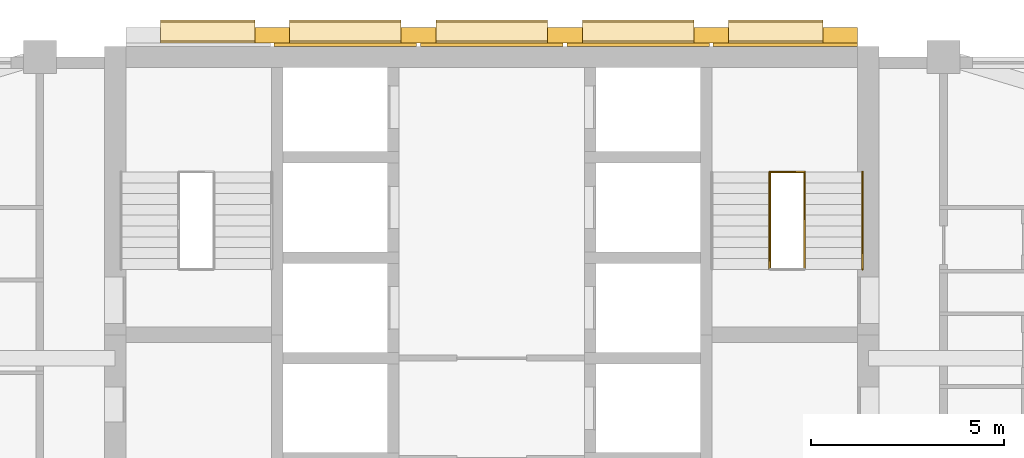
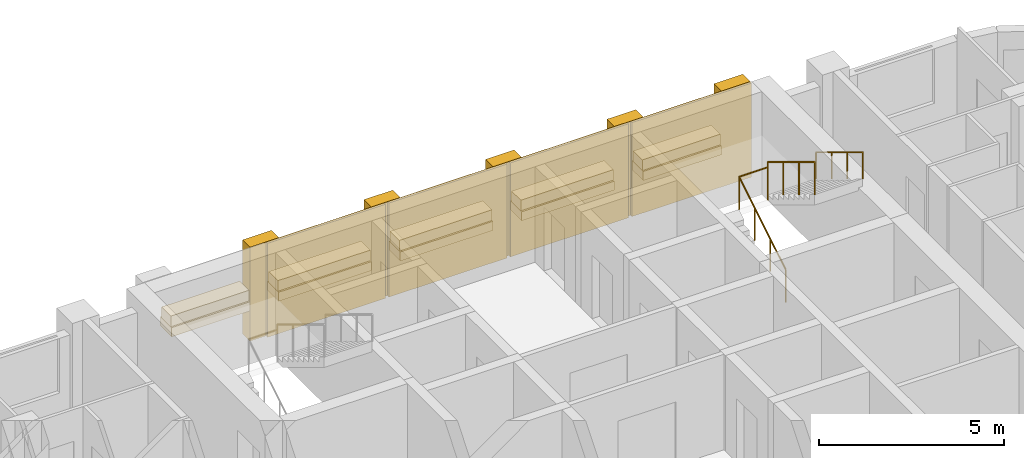
# One storey, part 12 of 12: 19 coverings, 4 railings, 1 element without a shape of its own.
"""IFC4 building model written with IfcOpenShell, lengths in metres."""

from ifc_helpers import new_model, si_unit, direction, frame, origin, origin_2d, place, context, subcontext, project, spatial, rectangle, circle, extrude, material, layer, layer_set, type_object, element, aggregate, save


model = new_model("IFC4")

# Units and contexts
model_context = context("Model", 3, precision=1e-05, world=origin(), true_north=direction((0.0, 1.0)))
body_context = subcontext(model_context, "Body", "Model", "MODEL_VIEW")
ifc_project = project(units=[si_unit("LENGTHUNIT", "METRE"), si_unit("AREAUNIT", "SQUARE_METRE"), si_unit("VOLUMEUNIT", "CUBIC_METRE"), si_unit("PLANEANGLEUNIT", "RADIAN"), si_unit("MASSUNIT", "GRAM", prefix="KILO")], contexts=[model_context])

# Site, building, storey
site_placement = place(None, origin())
site = spatial("IfcSite", under=ifc_project, at=site_placement, CompositionType="ELEMENT")
building_placement = place(site_placement, origin())
building = spatial("IfcBuilding", under=site, at=building_placement, Name="Ludao Terraces", CompositionType="ELEMENT")
storey_placement = place(building_placement, frame((0.0, 0.0, 137.300048828125)))
storey = spatial("IfcBuildingStorey", under=building, at=storey_placement, Name="L37", CompositionType="ELEMENT", Elevation=137.300048828125)

# Coverings
ifc_material_1 = material(Name="Granite cladding", Category="masonry")
ifc_layer_1 = layer(ifc_material_1, 0.39990234375)
ifc_layer_set_1 = layer_set([ifc_layer_1], Name="ENV Core pilaster stone 400")
covering_type_1 = type_object("IfcCoveringType", Name="ENV Core pilaster stone 400", PredefinedType="CLADDING", material=ifc_layer_set_1)
for number, where, z_axis, x_axis, name in (
    (1, (79.31494140625, 85.054931640625, 0.0), (0.0, 0.0, 1.0), (1.0, 0.0, 0.0), "CC-L37-PIL2"),
    (2, (83.10498046875, 85.054931640625, 0.0), (0.0, 0.0, 1.0), (1.0, 0.0, 0.0), "CC-L37-PIL3"),
    (3, (86.89501953125, 85.054931640625, 0.0), (0.0, 0.0, 1.0), (1.0, 0.0, 0.0), "CC-L37-PIL4"),
    (4, (90.68505859375, 85.054931640625, 0.0), (0.0, 0.0, 1.0), (1.0, 0.0, 0.0), "CC-L37-PIL5"),
    (5, (94.02490234375, 85.054931640625, 0.0), (0.0, 0.0, 1.0), (1.0, 0.0, 0.0), "CC-L37-PIL6"),
):
    element("IfcCovering", number, at=place(storey_placement, frame(where, z_axis=z_axis, x_axis=x_axis)), inside=storey, type_object=covering_type_1, Name=name, PredefinedType="CLADDING", context=body_context, shape_type="SweptSolid", body=[
        extrude(rectangle(XDim=0.89990234375, YDim=0.39990234375, at=origin_2d()), origin(), (0.0, 0.0, 1.0), 3.10009765625),
    ])
ifc_layer_2 = layer(ifc_material_1, 0.60009765625)
ifc_layer_set_2 = layer_set([ifc_layer_2], Name="ENV Core planting shelf stone 600")
covering_type_2 = type_object("IfcCoveringType", Name="ENV Core planting shelf stone 600", PredefinedType="CLADDING", material=ifc_layer_set_2)
covering_1_placement = place(storey_placement, frame((77.64501953125, 85.155029296875, 1.0), z_axis=(0.0, 0.0, 1.0), x_axis=(1.0, 0.0, 0.0)))
element("IfcCovering", 6, at=covering_1_placement, inside=storey, type_object=covering_type_2, Name="CC-L37-SHELF1", PredefinedType="CLADDING", context=body_context, shape_type="SweptSolid", body=[
    extrude(rectangle(XDim=2.43994140625, YDim=0.60009765625, at=origin_2d()), origin(), (0.0, 0.0, 1.0), 0.300048828125),
])
for number, where, z_axis, x_axis, name in (
    (7, (81.2099609375, 85.155029296875, 1.0), (0.0, 0.0, 1.0), (1.0, 0.0, 0.0), "CC-L37-SHELF2"),
    (8, (85.0, 85.155029296875, 1.0), (0.0, 0.0, 1.0), (1.0, 0.0, 0.0), "CC-L37-SHELF3"),
    (9, (88.7900390625, 85.155029296875, 1.0), (0.0, 0.0, 1.0), (1.0, 0.0, 0.0), "CC-L37-SHELF4"),
):
    element("IfcCovering", number, at=place(storey_placement, frame(where, z_axis=z_axis, x_axis=x_axis)), inside=storey, type_object=covering_type_2, Name=name, PredefinedType="CLADDING", context=body_context, shape_type="SweptSolid", body=[
        extrude(rectangle(XDim=2.889892578125, YDim=0.60009765625, at=origin_2d()), origin(), (0.0, 0.0, 1.0), 0.300048828125),
    ])
covering_2_placement = place(storey_placement, frame((92.35498046875, 85.155029296875, 1.0), z_axis=(0.0, 0.0, 1.0), x_axis=(1.0, 0.0, 0.0)))
element("IfcCovering", 10, at=covering_2_placement, inside=storey, type_object=covering_type_2, Name="CC-L37-SHELF5", PredefinedType="CLADDING", context=body_context, shape_type="SweptSolid", body=[
    extrude(rectangle(XDim=2.43994140625, YDim=0.60009765625, at=origin_2d()), origin(), (0.0, 0.0, 1.0), 0.300048828125),
])
ifc_layer_3 = layer(ifc_material_1, 0.080078125)
ifc_layer_set_3 = layer_set([ifc_layer_3], Name="ENV Core stone cladding panel 80")
covering_type_3 = type_object("IfcCoveringType", Name="ENV Core stone cladding panel 80", PredefinedType="CLADDING", material=ifc_layer_set_3)
for number, where, z_axis, x_axis, name in (
    (11, (81.2099609375, 84.81494140625, 0.0), (0.0, 0.0, 1.0), (1.0, 0.0, 0.0), "CC-L37-CORE2"),
    (12, (85.0, 84.81494140625, 0.0), (0.0, 0.0, 1.0), (1.0, 0.0, 0.0), "CC-L37-CORE3"),
    (13, (88.7900390625, 84.81494140625, 0.0), (0.0, 0.0, 1.0), (1.0, 0.0, 0.0), "CC-L37-CORE4"),
):
    element("IfcCovering", number, at=place(storey_placement, frame(where, z_axis=z_axis, x_axis=x_axis)), inside=storey, type_object=covering_type_3, Name=name, PredefinedType="CLADDING", context=body_context, shape_type="SweptSolid", body=[
        extrude(rectangle(XDim=3.68994140625, YDim=0.080078125, at=origin_2d()), origin(), (0.0, 0.0, 1.0), 3.10009765625),
    ])
covering_3_placement = place(storey_placement, frame((92.60498046875, 84.81494140625, 0.0), z_axis=(0.0, 0.0, 1.0), x_axis=(1.0, 0.0, 0.0)))
element("IfcCovering", 14, at=covering_3_placement, inside=storey, type_object=covering_type_3, Name="CC-L37-CORE5", PredefinedType="CLADDING", context=body_context, shape_type="SweptSolid", body=[
    extrude(rectangle(XDim=3.739990234375, YDim=0.080078125, at=origin_2d()), origin(), (0.0, 0.0, 1.0), 3.10009765625),
])
ifc_material_2 = material(Name="Planting")
ifc_layer_4 = layer(ifc_material_2, 0.5)
ifc_layer_set_4 = layer_set([ifc_layer_4], Name="ENV Shelf planting bed 350")
covering_type_4 = type_object("IfcCoveringType", Name="ENV Shelf planting bed 350", PredefinedType="USERDEFINED", material=ifc_layer_set_4)
covering_4_placement = place(storey_placement, frame((77.64501953125, 85.155029296875, 1.2998046875), z_axis=(0.0, 0.0, 1.0), x_axis=(1.0, 0.0, 0.0)))
element("IfcCovering", 15, at=covering_4_placement, inside=storey, type_object=covering_type_4, Name="Shelf planting bed L37 1", ObjectType="PLANTING", PredefinedType="USERDEFINED", context=body_context, shape_type="SweptSolid", body=[
    extrude(rectangle(XDim=2.43994140625, YDim=0.5, at=origin_2d()), origin(), (0.0, 0.0, 1.0), 0.35009765625),
])
for number, where, z_axis, x_axis, name in (
    (16, (81.2099609375, 85.155029296875, 1.2998046875), (0.0, 0.0, 1.0), (1.0, 0.0, 0.0), "Shelf planting bed L37 2"),
    (17, (85.0, 85.155029296875, 1.2998046875), (0.0, 0.0, 1.0), (1.0, 0.0, 0.0), "Shelf planting bed L37 3"),
    (18, (88.7900390625, 85.155029296875, 1.2998046875), (0.0, 0.0, 1.0), (1.0, 0.0, 0.0), "Shelf planting bed L37 4"),
):
    element("IfcCovering", number, at=place(storey_placement, frame(where, z_axis=z_axis, x_axis=x_axis)), inside=storey, type_object=covering_type_4, Name=name, ObjectType="PLANTING", PredefinedType="USERDEFINED", context=body_context, shape_type="SweptSolid", body=[
        extrude(rectangle(XDim=2.889892578125, YDim=0.5, at=origin_2d()), origin(), (0.0, 0.0, 1.0), 0.35009765625),
    ])
covering_5_placement = place(storey_placement, frame((92.35498046875, 85.155029296875, 1.2998046875), z_axis=(0.0, 0.0, 1.0), x_axis=(1.0, 0.0, 0.0)))
element("IfcCovering", 19, at=covering_5_placement, inside=storey, type_object=covering_type_4, Name="Shelf planting bed L37 5", ObjectType="PLANTING", PredefinedType="USERDEFINED", context=body_context, shape_type="SweptSolid", body=[
    extrude(rectangle(XDim=2.43994140625, YDim=0.5, at=origin_2d()), origin(), (0.0, 0.0, 1.0), 0.35009765625),
])

# Stair, railings
ifc_material_3 = material(Name="Concrete C40", Category="concrete")
stair_type = type_object("IfcStairType", Name="INT Stair", PredefinedType="HALF_TURN_STAIR", material=ifc_material_3)
stair_placement = place(storey_placement, origin())
stair = element("IfcStair", 20, at=stair_placement, inside=storey, type_object=stair_type, Name="EXIT STAIR 2", PredefinedType="HALF_TURN_STAIR")
ifc_material_4 = material(Name="Stainless steel 304", Category="steel")
railing_type_1 = type_object("IfcRailingType", Name="INT Stair guard 1100", PredefinedType="GUARDRAIL", material=ifc_material_4)
railing_1_placement = place(storey_placement, frame((92.199951171875, 79.0, 0.169921875)))
railing_1 = element("IfcRailing", 21, at=railing_1_placement, type_object=railing_type_1, Name="ST-L37-S2-R1G", PredefinedType="GUARDRAIL", context=body_context, shape_type="SweptSolid", body=[
    extrude(circle(Radius=0.02392578125, at=origin_2d()), frame((0.0, 0.0, 1.076171875), z_axis=(0.0, 0.85478489116, 0.518982456201), x_axis=(-1.0, 0.0, 0.0)), (0.0, 0.0, 1.0), 2.9482421875),
    extrude(circle(Radius=0.02099609375, at=origin_2d()), origin(), (0.0, 0.0, 1.0), 1.052001953125),
    extrude(circle(Radius=0.02099609375, at=origin_2d()), frame((0.0, 0.840087890625, 0.510009765625)), (0.0, 0.0, 1.0), 1.052001953125),
    extrude(circle(Radius=0.02099609375, at=origin_2d()), frame((0.0, 1.679931640625, 1.02001953125)), (0.0, 0.0, 1.0), 1.052001953125),
    extrude(circle(Radius=0.02099609375, at=origin_2d()), frame((0.0, 2.52001953125, 1.530029296875)), (0.0, 0.0, 1.0), 1.052001953125),
])
railing_2_placement = place(storey_placement, frame((93.10009765625, 81.52001953125, 1.869873046875)))
railing_2 = element("IfcRailing", 22, at=railing_2_placement, type_object=railing_type_1, Name="ST-L37-S2-R2G", PredefinedType="GUARDRAIL", context=body_context, shape_type="SweptSolid", body=[
    extrude(circle(Radius=0.02392578125, at=origin_2d()), frame((0.0, 0.0, 1.076171875), z_axis=(0.0, -0.85478489116, 0.518982456201), x_axis=(1.0, 0.0, 0.0)), (0.0, 0.0, 1.0), 2.9482421875),
    extrude(circle(Radius=0.02099609375, at=origin_2d()), origin(), (0.0, 0.0, 1.0), 1.052001953125),
    extrude(circle(Radius=0.02099609375, at=origin_2d()), frame((0.0, -0.840087890625, 0.510009765625)), (0.0, 0.0, 1.0), 1.052001953125),
    extrude(circle(Radius=0.02099609375, at=origin_2d()), frame((0.0, -1.679931640625, 1.02001953125)), (0.0, 0.0, 1.0), 1.052001953125),
    extrude(circle(Radius=0.02099609375, at=origin_2d()), frame((0.0, -2.52001953125, 1.530029296875)), (0.0, 0.0, 1.0), 1.052001953125),
])
railing_3_placement = place(storey_placement, frame((92.199951171875, 81.52001953125, 1.699951171875)))
railing_3 = element("IfcRailing", 23, at=railing_3_placement, type_object=railing_type_1, Name="ST-L37-S2-E1G", PredefinedType="GUARDRAIL", context=body_context, shape_type="SweptSolid", body=[
    extrude(circle(Radius=0.02392578125, at=origin_2d()), frame((0.0, 0.0, 1.076171875), z_axis=(1.0, 0.0, 0.0), x_axis=(0.0, 1.0, 0.0)), (0.0, 0.0, 1.0), 0.900146484375),
    extrude(circle(Radius=0.02099609375, at=origin_2d()), origin(), (0.0, 0.0, 1.0), 1.052001953125),
    extrude(circle(Radius=0.02099609375, at=origin_2d()), frame((0.900146484375, 0.0, 0.0)), (0.0, 0.0, 1.0), 1.052001953125),
])
railing_type_2 = type_object("IfcRailingType", Name="INT Stair handrail 900", PredefinedType="HANDRAIL", material=ifc_material_4)
railing_4_placement = place(storey_placement, frame((94.60009765625, 81.52001953125, 1.869873046875)))
railing_4 = element("IfcRailing", 24, at=railing_4_placement, type_object=railing_type_2, Name="ST-L37-S2-R2H", PredefinedType="HANDRAIL", context=body_context, shape_type="SweptSolid", body=[
    extrude(circle(Radius=0.02392578125, at=origin_2d()), frame((0.0, 0.0, 0.8759765625), z_axis=(0.0, -0.85478489116, 0.518982456201), x_axis=(1.0, 0.0, 0.0)), (0.0, 0.0, 1.0), 2.9482421875),
    extrude(circle(Radius=0.02099609375, at=origin_2d()), origin(), (0.0, 0.0, 1.0), 0.851806640625),
    extrude(circle(Radius=0.02099609375, at=origin_2d()), frame((0.0, -0.840087890625, 0.510009765625)), (0.0, 0.0, 1.0), 0.851806640625),
    extrude(circle(Radius=0.02099609375, at=origin_2d()), frame((0.0, -1.679931640625, 1.02001953125)), (0.0, 0.0, 1.0), 0.851806640625),
    extrude(circle(Radius=0.02099609375, at=origin_2d()), frame((0.0, -2.52001953125, 1.530029296875)), (0.0, 0.0, 1.0), 0.851806640625),
])
aggregate(stair, [railing_1, railing_2, railing_4, railing_3])

save(model, "model.ifc")
